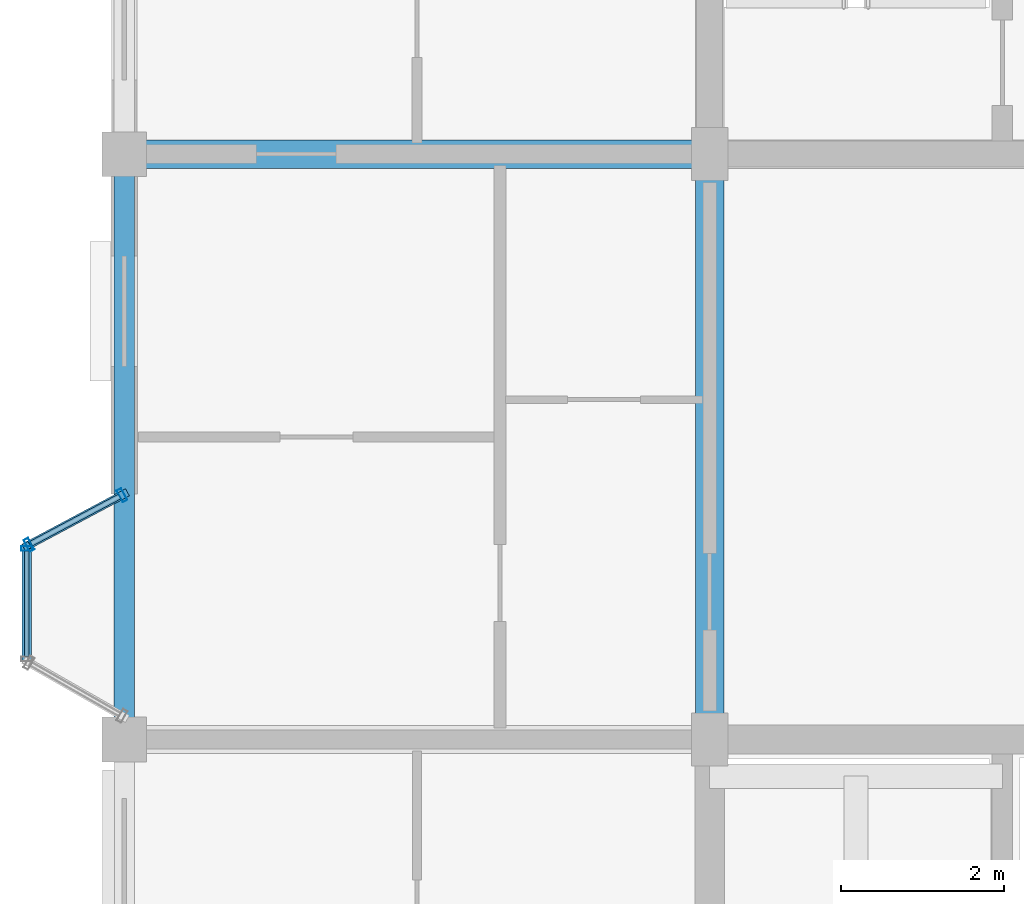
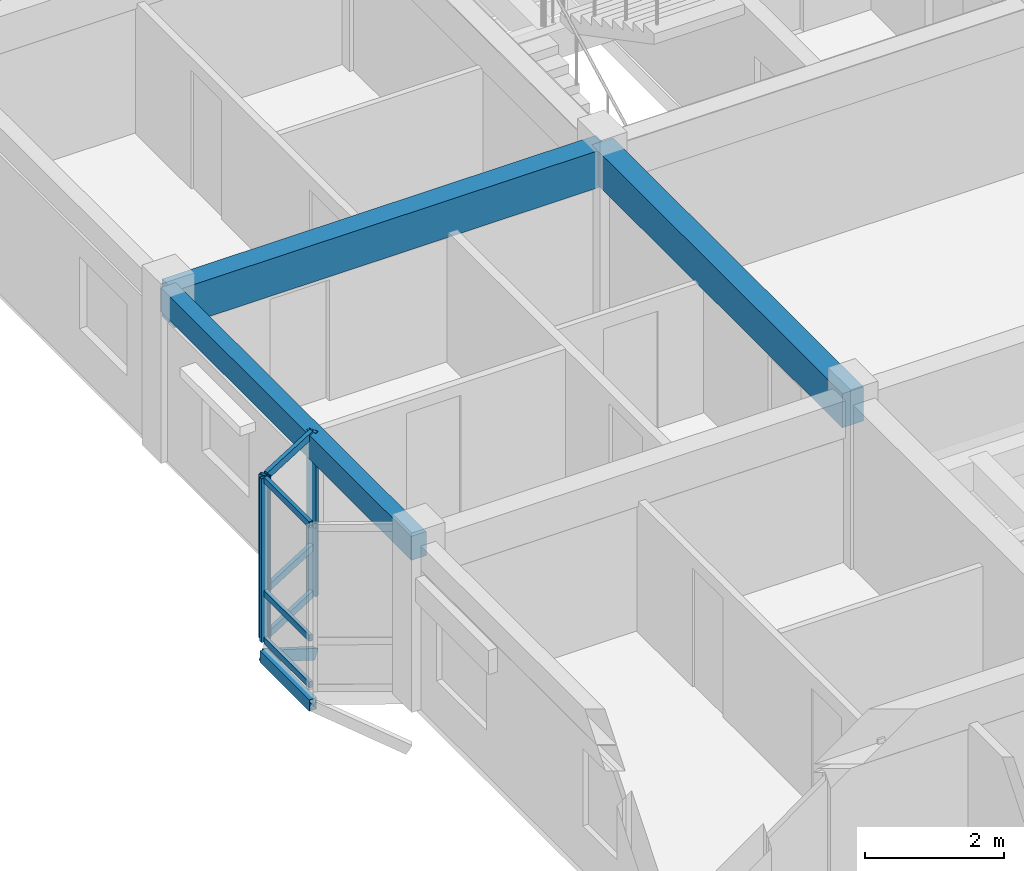
# One storey, part 9 of 77: 11 members, 3 beams, 2 elements without a shape of their own.
"""IFC4 building model written with IfcOpenShell, lengths in metres."""

from ifc_helpers import new_model, si_unit, direction, frame, origin, origin_2d, place, context, subcontext, project, spatial, rectangle, hollow_rectangle, extrude, material, layer, layer_set, material_profile, profile_set, type_object, element, aggregate, save


model = new_model("IFC4")

# Units and contexts
model_context = context("Model", 3, precision=1e-05, world=origin(), true_north=direction((0.0, 1.0)))
body_context = subcontext(model_context, "Body", "Model", "MODEL_VIEW")
ifc_project = project(units=[si_unit("LENGTHUNIT", "METRE"), si_unit("AREAUNIT", "SQUARE_METRE"), si_unit("VOLUMEUNIT", "CUBIC_METRE"), si_unit("PLANEANGLEUNIT", "RADIAN"), si_unit("MASSUNIT", "GRAM", prefix="KILO"), si_unit("THERMODYNAMICTEMPERATUREUNIT", "KELVIN"), si_unit("POWERUNIT", "WATT")], contexts=[model_context])

# Site, building, storey
site_placement = place(None, origin())
site = spatial("IfcSite", under=ifc_project, at=site_placement, CompositionType="ELEMENT")
building_placement = place(site_placement, origin())
building = spatial("IfcBuilding", under=site, at=building_placement, Name="Tavuni Mirador Residences", CompositionType="ELEMENT")
storey_placement = place(building_placement, frame((0.0, 0.0, 17.10009765625)))
storey = spatial("IfcBuildingStorey", under=building, at=storey_placement, Name="L05", CompositionType="ELEMENT", Elevation=17.10009765625)

# Beams
ifc_material_1 = material(Name="Precast concrete C40/50", Category="concrete")
ifc_material_profile_1 = material_profile(ifc_material_1, rectangle(XDim=0.35009765625, YDim=0.60009765625, at=origin_2d()), Name="PC 350x600", Category="concrete")
ifc_profile_set_1 = profile_set([ifc_material_profile_1], Name="Precast concrete C40/50")
beam_type_1 = type_object("IfcBeamType", Name="BT-B600", PredefinedType="BEAM", material=ifc_profile_set_1)
beam_1_placement = place(storey_placement, frame((10.800048828125, 21.60009765625, 2.56982421875), z_axis=(0.0, 1.0, 0.0), x_axis=(-1.0, 0.0, 0.0)))
element("IfcBeam", 1, at=beam_1_placement, inside=storey, type_object=beam_type_1, Name="BMY-BLK-A-L05-01-02", PredefinedType="BEAM", context=body_context, shape_type="SweptSolid", body=[
    extrude(rectangle(XDim=0.35009765625, YDim=0.60009765625, at=origin_2d()), origin(), (0.0, 0.0, 1.0), 7.199951171875),
])
ifc_material_profile_2 = material_profile(ifc_material_1, rectangle(XDim=0.35009765625, YDim=0.64990234375, at=origin_2d()), Name="PC 350x650", Category="concrete")
ifc_profile_set_2 = profile_set([ifc_material_profile_2], Name="Precast concrete C40/50")
beam_type_2 = type_object("IfcBeamType", Name="BT-B650", PredefinedType="BEAM", material=ifc_profile_set_2)
beam_2_placement = place(storey_placement, frame((3.60009765625, 28.800048828125, 2.544921875), z_axis=(1.0, 0.0, 0.0), x_axis=(0.0, 1.0, 0.0)))
element("IfcBeam", 2, at=beam_2_placement, inside=storey, type_object=beam_type_2, Name="BMX-BLK-A-L05-00-03", PredefinedType="BEAM", context=body_context, shape_type="SweptSolid", body=[
    extrude(rectangle(XDim=0.35009765625, YDim=0.64990234375, at=origin_2d()), origin(), (0.0, 0.0, 1.0), 7.199951171875),
])
ifc_material_profile_3 = material_profile(ifc_material_1, rectangle(XDim=0.25, YDim=0.419921875, at=origin_2d()), Name="PC 250x420", Category="concrete")
ifc_profile_set_3 = profile_set([ifc_material_profile_3], Name="Precast concrete C40/50")
beam_type_3 = type_object("IfcBeamType", Name="BT-SP420", PredefinedType="SPANDREL", material=ifc_profile_set_3)
beam_3_placement = place(storey_placement, frame((3.60009765625, 21.60009765625, 2.659912109375), z_axis=(0.0, 1.0, 0.0), x_axis=(-1.0, 0.0, 0.0)))
element("IfcBeam", 3, at=beam_3_placement, inside=storey, type_object=beam_type_3, Name="BMY-BLK-A-L05-00-02", PredefinedType="SPANDREL", context=body_context, shape_type="SweptSolid", body=[
    extrude(rectangle(XDim=0.25, YDim=0.419921875, at=origin_2d()), origin(), (0.0, 0.0, 1.0), 7.199951171875),
])

# Curtain wall, member
ifc_material_2 = material(Name="Anodised aluminium", Category="aluminium")
ifc_layer_1 = layer(ifc_material_2, 0.1650390625, Name="Anodised aluminium", Category="aluminium")
ifc_layer_set_1 = layer_set([ifc_layer_1], Name="Anodised aluminium")
curtain_wall_type_1 = type_object("IfcCurtainWallType", Name="CWT-MIR-A", PredefinedType="NOTDEFINED", material=ifc_layer_set_1)
curtain_wall_1_placement = place(storey_placement, origin())
curtain_wall_1 = element("IfcCurtainWall", 4, at=curtain_wall_1_placement, inside=storey, type_object=curtain_wall_type_1, Name="CW-MIR-A-W2-L05-MF", PredefinedType="NOTDEFINED")
ifc_material_profile_4 = material_profile(ifc_material_2, hollow_rectangle(XDim=0.06005859375, YDim=0.139892578125, WallThickness=0.00390625, at=origin_2d()), Name="ALU 60x140x4.0", Category="aluminium")
ifc_profile_set_4 = profile_set([ifc_material_profile_4], Name="Anodised aluminium")
member_type_1 = type_object("IfcMemberType", Name="CWM-140", PredefinedType="MULLION", material=ifc_profile_set_4)
member_1_placement = place(storey_placement, frame((2.39990234375, 23.949951171875, 0.0), z_axis=(0.0, 0.0, 1.0), x_axis=(0.0, -1.0, 0.0)))
member_1 = element("IfcMember", 5, at=member_1_placement, type_object=member_type_1, Name="CW-01 mullion 1", PredefinedType="MULLION", context=body_context, shape_type="SweptSolid", body=[
    extrude(hollow_rectangle(XDim=0.06005859375, YDim=0.139892578125, WallThickness=0.00390625, at=origin_2d()), origin(), (0.0, 0.0, 1.0), 2.869873046875),
])

# Curtain wall, members
ifc_layer_2 = layer(ifc_material_2, 0.159912109375, Name="Anodised aluminium", Category="aluminium")
ifc_layer_set_2 = layer_set([ifc_layer_2], Name="Anodised aluminium")
curtain_wall_type_2 = type_object("IfcCurtainWallType", Name="CWT-MIR-D", PredefinedType="NOTDEFINED", material=ifc_layer_set_2)
curtain_wall_2_placement = place(storey_placement, origin())
curtain_wall_2 = element("IfcCurtainWall", 6, at=curtain_wall_2_placement, inside=storey, type_object=curtain_wall_type_2, Name="CW-MIR-A-W2-L05-M1", PredefinedType="NOTDEFINED")
ifc_material_profile_5 = material_profile(ifc_material_2, hollow_rectangle(XDim=0.06494140625, YDim=0.1650390625, WallThickness=0.00439453125, at=origin_2d()), Name="ALU 65x165x4.5", Category="aluminium")
ifc_profile_set_5 = profile_set([ifc_material_profile_5], Name="Anodised aluminium")
member_type_2 = type_object("IfcMemberType", Name="CWM-165", PredefinedType="MULLION", material=ifc_profile_set_5)
member_2_placement = place(storey_placement, frame((3.5712890625, 24.604736328125, 0.0), z_axis=(0.0, 0.0, 1.0), x_axis=(-0.882352941175, -0.470588235296, 0.0)))
member_2 = element("IfcMember", 7, at=member_2_placement, type_object=member_type_2, Name="CW-04 mullion 1", PredefinedType="MULLION", context=body_context, shape_type="SweptSolid", body=[
    extrude(hollow_rectangle(XDim=0.06494140625, YDim=0.1650390625, WallThickness=0.00439453125, at=origin_2d()), origin(), (0.0, 0.0, 1.0), 2.869873046875),
])
member_3_placement = place(storey_placement, frame((2.4287109375, 23.995361328125, 0.0), z_axis=(0.0, 0.0, 1.0), x_axis=(-0.882352941175, -0.470588235296, 0.0)))
member_3 = element("IfcMember", 8, at=member_3_placement, type_object=member_type_2, Name="CW-04 mullion 2", PredefinedType="MULLION", context=body_context, shape_type="SweptSolid", body=[
    extrude(hollow_rectangle(XDim=0.06494140625, YDim=0.1650390625, WallThickness=0.00439453125, at=origin_2d()), origin(), (0.0, 0.0, 1.0), 2.869873046875),
])

# Member
ifc_material_profile_6 = material_profile(ifc_material_2, hollow_rectangle(XDim=0.06005859375, YDim=0.110107421875, WallThickness=0.00390625, at=origin_2d()), Name="ALU 60x110x4.0", Category="aluminium")
ifc_profile_set_6 = profile_set([ifc_material_profile_6], Name="Anodised aluminium")
member_type_3 = type_object("IfcMemberType", Name="CWT-110", PredefinedType="USERDEFINED", material=ifc_profile_set_6)
member_4_placement = place(storey_placement, frame((2.39990234375, 23.919921875, 0.02978515625), z_axis=(0.0, -1.0, 0.0), x_axis=(1.0, 0.0, 0.0)))
member_4 = element("IfcMember", 9, at=member_4_placement, type_object=member_type_3, Name="CW-01 transom 1.1", ObjectType="TRANSOM", PredefinedType="USERDEFINED", context=body_context, shape_type="SweptSolid", body=[
    extrude(hollow_rectangle(XDim=0.06005859375, YDim=0.110107421875, WallThickness=0.00390625, at=origin_2d()), origin(), (0.0, 0.0, 1.0), 1.2998046875),
])

member_5_placement = place(storey_placement, frame((2.39990234375, 23.919921875, 0.849853515625), z_axis=(0.0, -1.0, 0.0), x_axis=(1.0, 0.0, 0.0)))
member_5 = element("IfcMember", 10, at=member_5_placement, type_object=member_type_3, Name="CW-01 transom 1.2", ObjectType="TRANSOM", PredefinedType="USERDEFINED", context=body_context, shape_type="SweptSolid", body=[
    extrude(hollow_rectangle(XDim=0.06005859375, YDim=0.110107421875, WallThickness=0.00390625, at=origin_2d()), origin(), (0.0, 0.0, 1.0), 1.2998046875),
])

member_6_placement = place(storey_placement, frame((2.39990234375, 23.919921875, 2.83984375), z_axis=(0.0, -1.0, 0.0), x_axis=(1.0, 0.0, 0.0)))
member_6 = element("IfcMember", 11, at=member_6_placement, type_object=member_type_3, Name="CW-01 transom 1.3", ObjectType="TRANSOM", PredefinedType="USERDEFINED", context=body_context, shape_type="SweptSolid", body=[
    extrude(hollow_rectangle(XDim=0.06005859375, YDim=0.110107421875, WallThickness=0.00390625, at=origin_2d()), origin(), (0.0, 0.0, 1.0), 1.2998046875),
])

aggregate(curtain_wall_1, [member_1, member_4, member_5, member_6])

ifc_material_profile_7 = material_profile(ifc_material_2, hollow_rectangle(XDim=0.06494140625, YDim=0.125, WallThickness=0.00439453125, at=origin_2d()), Name="ALU 65x125x4.5", Category="aluminium")
ifc_profile_set_7 = profile_set([ifc_material_profile_7], Name="Anodised aluminium")
member_type_4 = type_object("IfcMemberType", Name="CWT-125", PredefinedType="USERDEFINED", material=ifc_profile_set_7)
member_7_placement = place(storey_placement, frame((3.542724609375, 24.58935546875, 0.032470703125), z_axis=(-0.882369422046, -0.47055733236, 0.0), x_axis=(0.47055733236, -0.882369422046, 0.0)))
member_7 = element("IfcMember", 12, at=member_7_placement, type_object=member_type_4, Name="CW-04 transom 1.1", ObjectType="TRANSOM", PredefinedType="USERDEFINED", context=body_context, shape_type="SweptSolid", body=[
    extrude(hollow_rectangle(XDim=0.06494140625, YDim=0.125, WallThickness=0.00439453125, at=origin_2d()), origin(), (0.0, 0.0, 1.0), 1.230224609375),
])

member_8_placement = place(storey_placement, frame((3.542724609375, 24.58935546875, 0.849853515625), z_axis=(-0.882369422046, -0.47055733236, 0.0), x_axis=(0.47055733236, -0.882369422046, 0.0)))
member_8 = element("IfcMember", 13, at=member_8_placement, type_object=member_type_4, Name="CW-04 transom 1.2", ObjectType="TRANSOM", PredefinedType="USERDEFINED", context=body_context, shape_type="SweptSolid", body=[
    extrude(hollow_rectangle(XDim=0.06494140625, YDim=0.125, WallThickness=0.00439453125, at=origin_2d()), origin(), (0.0, 0.0, 1.0), 1.230224609375),
])

member_9_placement = place(storey_placement, frame((3.542724609375, 24.58935546875, 2.83740234375), z_axis=(-0.882369422046, -0.47055733236, 0.0), x_axis=(0.47055733236, -0.882369422046, 0.0)))
member_9 = element("IfcMember", 14, at=member_9_placement, type_object=member_type_4, Name="CW-04 transom 1.3", ObjectType="TRANSOM", PredefinedType="USERDEFINED", context=body_context, shape_type="SweptSolid", body=[
    extrude(hollow_rectangle(XDim=0.06494140625, YDim=0.125, WallThickness=0.00439453125, at=origin_2d()), origin(), (0.0, 0.0, 1.0), 1.230224609375),
])

aggregate(curtain_wall_2, [member_2, member_3, member_7, member_8, member_9])

# Members
ifc_material_3 = material(Name="Structural steel S355", Category="steel")
ifc_material_profile_8 = material_profile(ifc_material_3, hollow_rectangle(XDim=0.10009765625, YDim=0.179931640625, WallThickness=0.008056640625, at=origin_2d()), Name="RHS 180x100x8.0", Category="steel")
ifc_profile_set_8 = profile_set([ifc_material_profile_8], Name="Structural steel S355")
member_type_5 = type_object("IfcMemberType", Name="MT-BR-RHS180", PredefinedType="BRACE", material=ifc_profile_set_8)
member_10_placement = place(storey_placement, frame((3.60009765625, 24.6201171875, -1.050048828125), z_axis=(-0.767847080655, -0.409539268811, 0.492634192918), x_axis=(0.470606866739, -0.882343004153, 0.0)))
element("IfcMember", 15, at=member_10_placement, inside=storey, type_object=member_type_5, Name="MBRK-MIR-A-W2-L05-2", PredefinedType="BRACE", context=body_context, shape_type="SweptSolid", body=[
    extrude(hollow_rectangle(XDim=0.10009765625, YDim=0.179931640625, WallThickness=0.008056640625, at=origin_2d()), origin(), (0.0, 0.0, 1.0), 1.56298828125),
])
ifc_material_profile_9 = material_profile(ifc_material_3, hollow_rectangle(XDim=0.1201171875, YDim=0.199951171875, WallThickness=0.010009765625, at=origin_2d()), Name="RHS 200x120x10.0", Category="steel")
ifc_profile_set_9 = profile_set([ifc_material_profile_9], Name="Structural steel S355")
member_type_6 = type_object("IfcMemberType", Name="MT-ST-RHS200", PredefinedType="STRUT", material=ifc_profile_set_9)
member_11_placement = place(storey_placement, frame((2.39990234375, 22.56005859375, -0.280029296875), z_axis=(0.0, 1.0, 0.0), x_axis=(-1.0, 0.0, 0.0)))
element("IfcMember", 16, at=member_11_placement, inside=storey, type_object=member_type_6, Name="MRIM-MIR-A-W2-L05", PredefinedType="STRUT", context=body_context, shape_type="SweptSolid", body=[
    extrude(hollow_rectangle(XDim=0.1201171875, YDim=0.199951171875, WallThickness=0.010009765625, at=origin_2d()), origin(), (0.0, 0.0, 1.0), 1.419921875),
])

save(model, "model.ifc")
